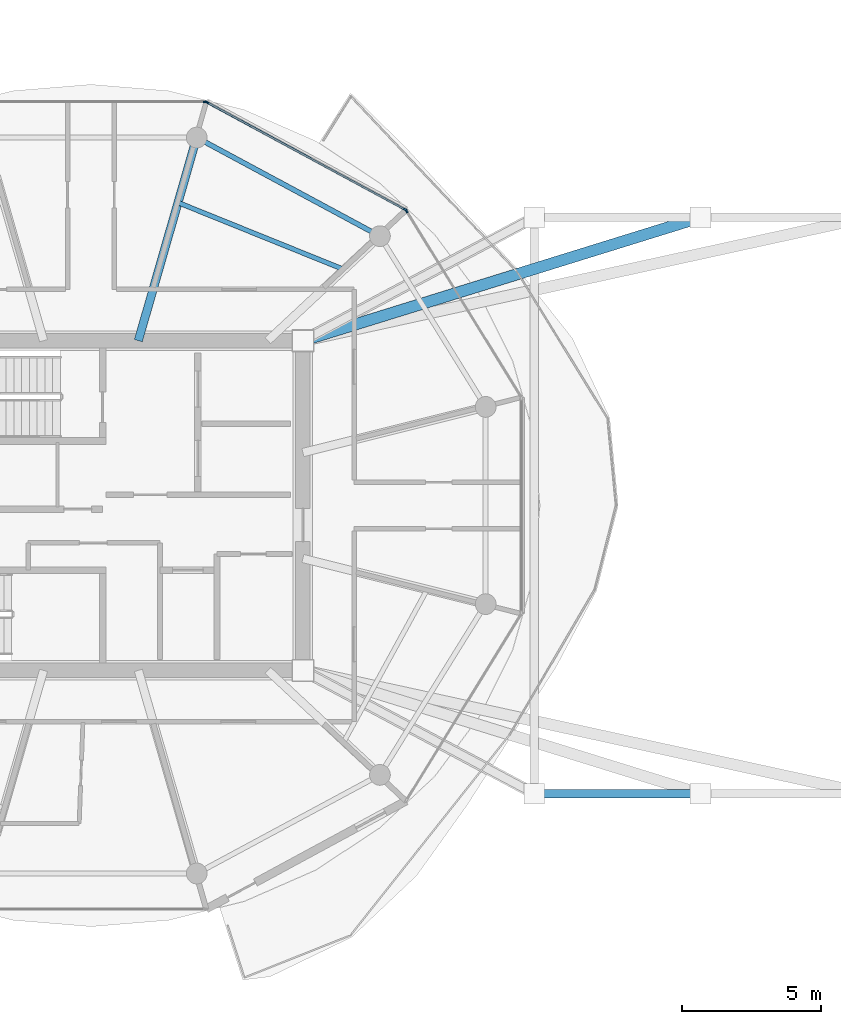
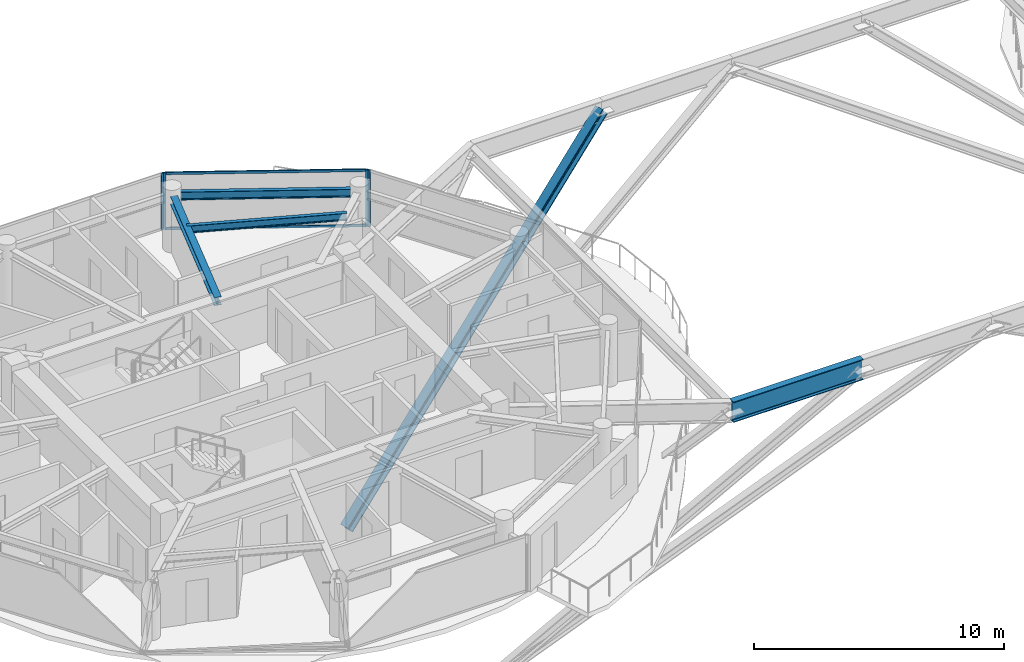
# One storey, part 5 of 23: 7 members, 4 beams, 3 elements without a shape of their own.
"""IFC4 building model written with IfcOpenShell, lengths in metres."""

from ifc_helpers import new_model, si_unit, direction, frame, origin, origin_2d, place, context, subcontext, project, spatial, rectangle, i_section, extrude, source, transform, mapped, material, layer, layer_set, material_profile, profile_set, type_object, type_shapes, element, aggregate, save


model = new_model("IFC4")

# Units and contexts
model_context = context("Model", 3, precision=1e-05, world=origin(), true_north=direction((0.0, 1.0)))
body_context = subcontext(model_context, "Body", "Model", "MODEL_VIEW")
ifc_project = project(units=[si_unit("LENGTHUNIT", "METRE"), si_unit("AREAUNIT", "SQUARE_METRE"), si_unit("VOLUMEUNIT", "CUBIC_METRE"), si_unit("PLANEANGLEUNIT", "RADIAN"), si_unit("MASSUNIT", "GRAM", prefix="KILO")], contexts=[model_context])

# Site, building, storey
site_placement = place(None, origin())
site = spatial("IfcSite", under=ifc_project, at=site_placement, CompositionType="ELEMENT")
building_placement = place(site_placement, origin())
building = spatial("IfcBuilding", under=site, at=building_placement, Name="Norrkilde Senior Care Towers", CompositionType="ELEMENT")
storey_placement = place(building_placement, frame((0.0, 0.0, 196.75)))
storey = spatial("IfcBuildingStorey", under=building, at=storey_placement, Name="L61", CompositionType="ELEMENT", Elevation=196.75)

# Beams
ifc_material_1 = material(Name="Steel S355", Category="steel")
ifc_material_profile_1 = material_profile(ifc_material_1, i_section(OverallWidth=0.179931640625, OverallDepth=0.39990234375, WebThickness=0.008544921875, FlangeThickness=0.013427734375, FilletRadius=0.02099609375, at=origin_2d()), Name="IPE 400")
ifc_profile_set_1 = profile_set([ifc_material_profile_1], Name="Steel S355")
beam_type_1 = type_object("IfcBeamType", Name="Perimeter Ring Spandrel Z4 IPE400", PredefinedType="SPANDREL", material=ifc_profile_set_1)
shared_shape_1 = source(origin(), body_context, "Body", "SweptSolid", [
    extrude(i_section(OverallWidth=0.179931640625, OverallDepth=0.39990234375, WebThickness=0.008544921875, FlangeThickness=0.013427734375, FilletRadius=0.02099609375, at=origin_2d()), origin(), (0.0, 0.0, 1.0), 6.839111328125),
])
type_shapes(beam_type_1, [shared_shape_1])
beam_1_placement = place(storey_placement, frame((-17.865234375, 9.881591796875, 2.56005859375), z_axis=(-0.880563930732, 0.473927382511, 0.0), x_axis=(-0.473927382511, -0.880563930732, 0.0)))
element("IfcBeam", 1, at=beam_1_placement, inside=storey, type_object=beam_type_1, Name="L61 Drum W Perimeter Spandrel 02", PredefinedType="SPANDREL", context=body_context, shape_type="MappedRepresentation", body=[
    mapped(shared_shape_1, transform((0.0, 0.0, 0.0), x_axis=(1.0, 0.0, 0.0), y_axis=(0.0, 1.0, 0.0), z_axis=(0.0, 0.0, 1.0), scale=1.0)),
])
ifc_material_profile_2 = material_profile(ifc_material_1, i_section(OverallWidth=0.300048828125, OverallDepth=0.39990234375, WebThickness=0.013427734375, FlangeThickness=0.02392578125, FilletRadius=0.027099609375, at=origin_2d()), Name="HEB 400")
ifc_profile_set_2 = profile_set([ifc_material_profile_2], Name="Steel S355")
beam_type_2 = type_object("IfcBeamType", Name="Radial Floor Beam Z4 HEB400", PredefinedType="BEAM", material=ifc_profile_set_2)
shared_shape_2 = source(origin(), body_context, "Body", "SweptSolid", [
    extrude(i_section(OverallWidth=0.300048828125, OverallDepth=0.39990234375, WebThickness=0.013427734375, FlangeThickness=0.02392578125, FilletRadius=0.027099609375, at=origin_2d()), origin(), (0.0, 0.0, 1.0), 7.29345703125),
])
type_shapes(beam_type_2, [shared_shape_2])
beam_2_placement = place(storey_placement, frame((-26.289794921875, 5.949951171875, 2.56005859375), z_axis=(0.276263751906, 0.961081858836, 0.0), x_axis=(-0.961081858836, 0.276263751906, 0.0)))
element("IfcBeam", 2, at=beam_2_placement, inside=storey, type_object=beam_type_2, Name="L61 Drum W Radial Floor Beam 03", PredefinedType="BEAM", context=body_context, shape_type="MappedRepresentation", body=[
    mapped(shared_shape_2, transform((0.0, 0.0, 0.0), x_axis=(1.0, 0.0, 0.0), y_axis=(0.0, 1.0, 0.0), z_axis=(0.0, 0.0, 1.0), scale=1.0)),
])
ifc_material_profile_3 = material_profile(ifc_material_1, i_section(OverallWidth=0.169921875, OverallDepth=0.360107421875, WebThickness=0.008056640625, FlangeThickness=0.0126953125, FilletRadius=0.01806640625, at=origin_2d()), Name="IPE 360")
ifc_profile_set_3 = profile_set([ifc_material_profile_3], Name="Steel S355")
beam_type_3 = type_object("IfcBeamType", Name="Secondary Floor Joist IPE360", PredefinedType="JOIST", material=ifc_profile_set_3)
shared_shape_3 = source(origin(), body_context, "Body", "SweptSolid", [
    extrude(i_section(OverallWidth=0.169921875, OverallDepth=0.360107421875, WebThickness=0.008056640625, FlangeThickness=0.0126953125, FilletRadius=0.01806640625, at=origin_2d()), origin(), (0.0, 0.0, 1.0), 6.461669921875),
])
type_shapes(beam_type_3, [shared_shape_3])
beam_3_placement = place(storey_placement, frame((-18.865234375, 8.515380859375, 2.580078125), z_axis=(-0.927225942298, 0.374502405772, 0.0), x_axis=(-0.374502405772, -0.927225942298, 0.0)))
element("IfcBeam", 3, at=beam_3_placement, inside=storey, type_object=beam_type_3, Name="L61 Drum W Secondary Floor Joist 1", PredefinedType="JOIST", context=body_context, shape_type="MappedRepresentation", body=[
    mapped(shared_shape_3, transform((0.0, 0.0, 0.0), x_axis=(1.0, 0.0, 0.0), y_axis=(0.0, 1.0, 0.0), z_axis=(0.0, 0.0, 1.0), scale=1.0)),
])
ifc_material_profile_4 = material_profile(ifc_material_1, i_section(OverallWidth=0.300048828125, OverallDepth=1.0, WebThickness=0.01904296875, FlangeThickness=0.035888671875, FilletRadius=0.030029296875, at=origin_2d()), Name="HEB 1000")
ifc_profile_set_4 = profile_set([ifc_material_profile_4], Name="Steel S355")
beam_type_4 = type_object("IfcBeamType", Name="Sky Pool Cantilever Girder HEB1000", PredefinedType="USERDEFINED", material=ifc_profile_set_4)
shared_shape_4 = source(origin(), body_context, "Body", "SweptSolid", [
    extrude(i_section(OverallWidth=0.300048828125, OverallDepth=1.0, WebThickness=0.01904296875, FlangeThickness=0.035888671875, FilletRadius=0.030029296875, at=origin_2d()), origin(), (0.0, 0.0, 1.0), 6.0),
])
type_shapes(beam_type_4, [shared_shape_4])
beam_4_placement = place(storey_placement, frame((-12.0, -10.39990234375, 2.1298828125), z_axis=(1.0, 0.0, 0.0), x_axis=(0.0, 1.0, 0.0)))
element("IfcBeam", 4, at=beam_4_placement, inside=storey, type_object=beam_type_4, Name="L61 Sky-Gate Bridge Transfer Girder S2", ObjectType="GIRDER", PredefinedType="USERDEFINED", context=body_context, shape_type="MappedRepresentation", body=[
    mapped(shared_shape_4, transform((0.0, 0.0, 0.0), x_axis=(1.0, 0.0, 0.0), y_axis=(0.0, 1.0, 0.0), z_axis=(0.0, 0.0, 1.0), scale=1.0)),
])

# Member
ifc_material_profile_5 = material_profile(ifc_material_1, i_section(OverallWidth=0.412109375, OverallDepth=0.449951171875, WebThickness=0.028076171875, FlangeThickness=0.044921875, FilletRadius=0.014892578125, at=origin_2d()), Name="HD 400x509")
ifc_profile_set_5 = profile_set([ifc_material_profile_5], Name="Steel S355")
member_type_1 = type_object("IfcMemberType", Name="Pratt Bridge Truss Diagonal HD400x509", PredefinedType="BRACE", material=ifc_profile_set_5)
shared_shape_5 = source(origin(), body_context, "Body", "SweptSolid", [
    extrude(i_section(OverallWidth=0.412109375, OverallDepth=0.449951171875, WebThickness=0.028076171875, FlangeThickness=0.044921875, FilletRadius=0.014892578125, at=origin_2d()), origin(), (0.0, 0.0, 1.0), 19.692138671875),
])
type_shapes(member_type_1, [shared_shape_5])
member_1_placement = place(storey_placement, frame((-20.35009765625, 5.949951171875, -10.60009765625), z_axis=(0.728722672349, 0.225976184098, 0.646450331444), x_axis=(-0.296185052015, 0.955130574824, 0.0)))
element("IfcMember", 5, at=member_1_placement, inside=storey, type_object=member_type_1, Name="L61 Sky-Gate Portal Arch Strut N-W06", PredefinedType="BRACE", context=body_context, shape_type="MappedRepresentation", body=[
    mapped(shared_shape_5, transform((0.0, 0.0, 0.0), x_axis=(1.0, 0.0, 0.0), y_axis=(0.0, 1.0, 0.0), z_axis=(0.0, 0.0, 1.0), scale=1.0)),
])

# Curtain wall, members
ifc_material_2 = material(Name="Triple Low-E Insulated Glazing", Category="glass")
ifc_layer = layer(ifc_material_2, 0.18505859375)
ifc_layer_set = layer_set([ifc_layer], Name="Triple Low-E Insulated Glazing")
curtain_wall_type = type_object("IfcCurtainWallType", Name="CW6 Zone 4 Crown Pavilion Curtain Wall", PredefinedType="NOTDEFINED", material=ifc_layer_set)
curtain_wall_1_placement = place(storey_placement, origin())
curtain_wall_1 = element("IfcCurtainWall", 6, at=curtain_wall_1_placement, inside=storey, type_object=curtain_wall_type, Name="L61 Drum W Curtain Wall 01", PredefinedType="NOTDEFINED")
ifc_material_3 = material(Name="Anodised Aluminium", Category="aluminium")
ifc_material_profile_6 = material_profile(ifc_material_3, rectangle(XDim=0.06005859375, YDim=0.1201171875, at=origin_2d()), Name="ALU TRAN 60x120")
ifc_profile_set_6 = profile_set([ifc_material_profile_6], Name="Anodised Aluminium")
member_type_2 = type_object("IfcMemberType", Name="Curtain Wall Transom Typical 60x120", PredefinedType="USERDEFINED", material=ifc_profile_set_6)
shared_shape_6 = source(origin(), body_context, "Body", "SweptSolid", [
    extrude(rectangle(XDim=0.06005859375, YDim=0.1201171875, at=origin_2d()), origin(), (0.0, 0.0, 1.0), 8.0673828125),
])
type_shapes(member_type_2, [shared_shape_6])
member_2_placement = place(storey_placement, frame((-23.781005859375, 14.53515625, 0.030029296875), z_axis=(0.87937750072, -0.476125205411, 0.0), x_axis=(0.476125205411, 0.87937750072, 0.0)))
member_2 = element("IfcMember", 7, at=member_2_placement, type_object=member_type_2, Name="CW-6 transom 1.1", ObjectType="TRANSOM", PredefinedType="USERDEFINED", context=body_context, shape_type="MappedRepresentation", body=[
    mapped(shared_shape_6, transform((0.0, 0.0, 0.0), x_axis=(1.0, 0.0, 0.0), y_axis=(0.0, 1.0, 0.0), z_axis=(0.0, 0.0, 1.0), scale=1.0)),
])
member_3_placement = place(storey_placement, frame((-23.781005859375, 14.53515625, 2.72998046875), z_axis=(0.87937750072, -0.476125205411, 0.0), x_axis=(0.476125205411, 0.87937750072, 0.0)))
member_3 = element("IfcMember", 8, at=member_3_placement, type_object=member_type_2, Name="CW-6 transom 1.2", ObjectType="TRANSOM", PredefinedType="USERDEFINED", context=body_context, shape_type="MappedRepresentation", body=[
    mapped(shared_shape_6, transform((0.0, 0.0, 0.0), x_axis=(1.0, 0.0, 0.0), y_axis=(0.0, 1.0, 0.0), z_axis=(0.0, 0.0, 1.0), scale=1.0)),
])

# Curtain wall, member
curtain_wall_2_placement = place(storey_placement, origin())
curtain_wall_2 = element("IfcCurtainWall", 9, at=curtain_wall_2_placement, inside=storey, type_object=curtain_wall_type, Name="L61 Drum W Curtain Wall 00", PredefinedType="NOTDEFINED")
ifc_material_profile_7 = material_profile(ifc_material_3, rectangle(XDim=0.06494140625, YDim=0.14990234375, at=origin_2d()), Name="ALU MULL 65x150")
ifc_profile_set_7 = profile_set([ifc_material_profile_7], Name="Anodised Aluminium")
member_type_3 = type_object("IfcMemberType", Name="Curtain Wall Mullion Z3-Z4 65x150", PredefinedType="MULLION", material=ifc_profile_set_7)
shared_shape_7 = source(origin(), body_context, "Body", "SweptSolid", [
    extrude(rectangle(XDim=0.06494140625, YDim=0.14990234375, at=origin_2d()), origin(), (0.0, 0.0, 1.0), 2.760009765625),
])
type_shapes(member_type_3, [shared_shape_7])
member_4_placement = place(storey_placement, frame((-16.61279296875, 10.635498046875, 0.0), z_axis=(0.0, 0.0, 1.0), x_axis=(0.851562727283, 0.524252726748, 0.0)))
member_4 = element("IfcMember", 10, at=member_4_placement, type_object=member_type_3, Name="CW-6 mullion 1", PredefinedType="MULLION", context=body_context, shape_type="MappedRepresentation", body=[
    mapped(shared_shape_7, transform((0.0, 0.0, 0.0), x_axis=(1.0, 0.0, 0.0), y_axis=(0.0, 1.0, 0.0), z_axis=(0.0, 0.0, 1.0), scale=1.0)),
])
aggregate(curtain_wall_2, [member_4])

# Member
member_5_placement = place(storey_placement, frame((-23.8095703125, 14.55078125, 0.0), z_axis=(0.0, 0.0, 1.0), x_axis=(0.476132676136, 0.879373455772, 0.0)))
member_5 = element("IfcMember", 11, at=member_5_placement, type_object=member_type_3, Name="CW-6 mullion 1", PredefinedType="MULLION", context=body_context, shape_type="MappedRepresentation", body=[
    mapped(shared_shape_7, transform((0.0, 0.0, 0.0), x_axis=(1.0, 0.0, 0.0), y_axis=(0.0, 1.0, 0.0), z_axis=(0.0, 0.0, 1.0), scale=1.0)),
])

member_6_placement = place(storey_placement, frame((-16.658203125, 10.6787109375, 0.0), z_axis=(0.0, 0.0, 1.0), x_axis=(0.476132676136, 0.879373455772, 0.0)))
member_6 = element("IfcMember", 12, at=member_6_placement, type_object=member_type_3, Name="CW-6 mullion 2", PredefinedType="MULLION", context=body_context, shape_type="MappedRepresentation", body=[
    mapped(shared_shape_7, transform((0.0, 0.0, 0.0), x_axis=(1.0, 0.0, 0.0), y_axis=(0.0, 1.0, 0.0), z_axis=(0.0, 0.0, 1.0), scale=1.0)),
])

aggregate(curtain_wall_1, [member_5, member_6, member_2, member_3])

# Curtain wall, member
curtain_wall_3_placement = place(storey_placement, origin())
curtain_wall_3 = element("IfcCurtainWall", 13, at=curtain_wall_3_placement, inside=storey, type_object=curtain_wall_type, Name="L61 Drum W Curtain Wall 02", PredefinedType="NOTDEFINED")
member_7_placement = place(storey_placement, frame((-23.87060546875, 14.566162109375, 0.0), z_axis=(0.0, 0.0, 1.0), x_axis=(0.0, 1.0, 0.0)))
member_7 = element("IfcMember", 14, at=member_7_placement, type_object=member_type_3, Name="CW-6 mullion 2", PredefinedType="MULLION", context=body_context, shape_type="MappedRepresentation", body=[
    mapped(shared_shape_7, transform((0.0, 0.0, 0.0), x_axis=(1.0, 0.0, 0.0), y_axis=(0.0, 1.0, 0.0), z_axis=(0.0, 0.0, 1.0), scale=1.0)),
])
aggregate(curtain_wall_3, [member_7])

save(model, "model.ifc")
